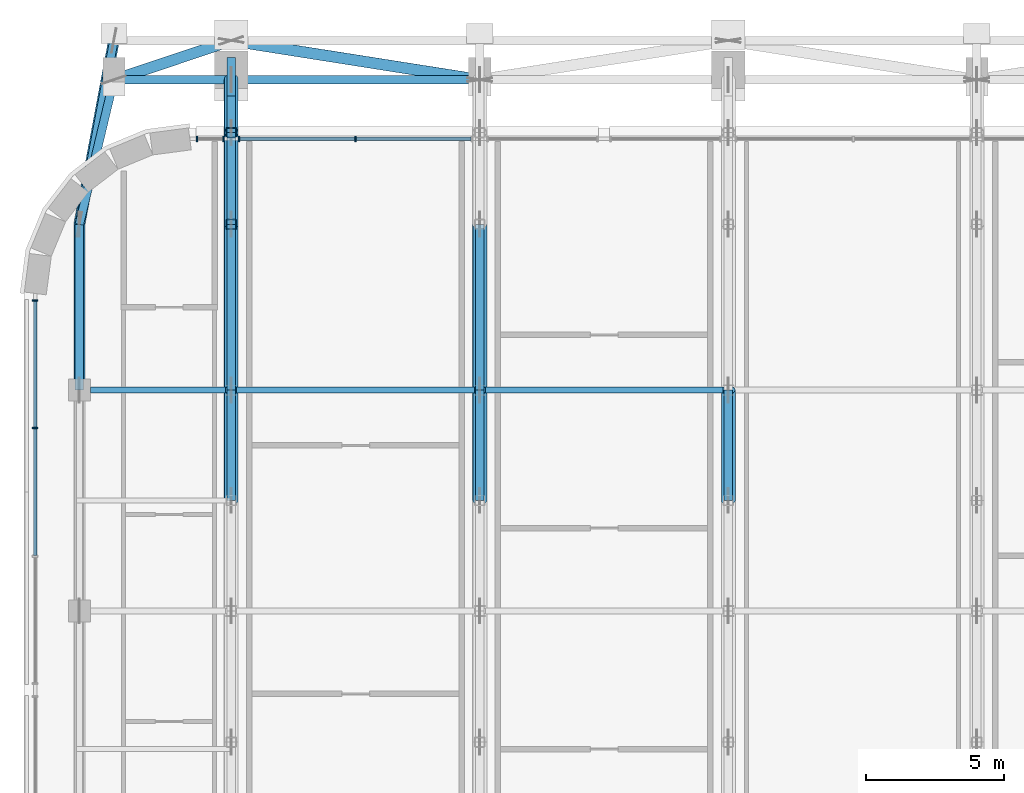
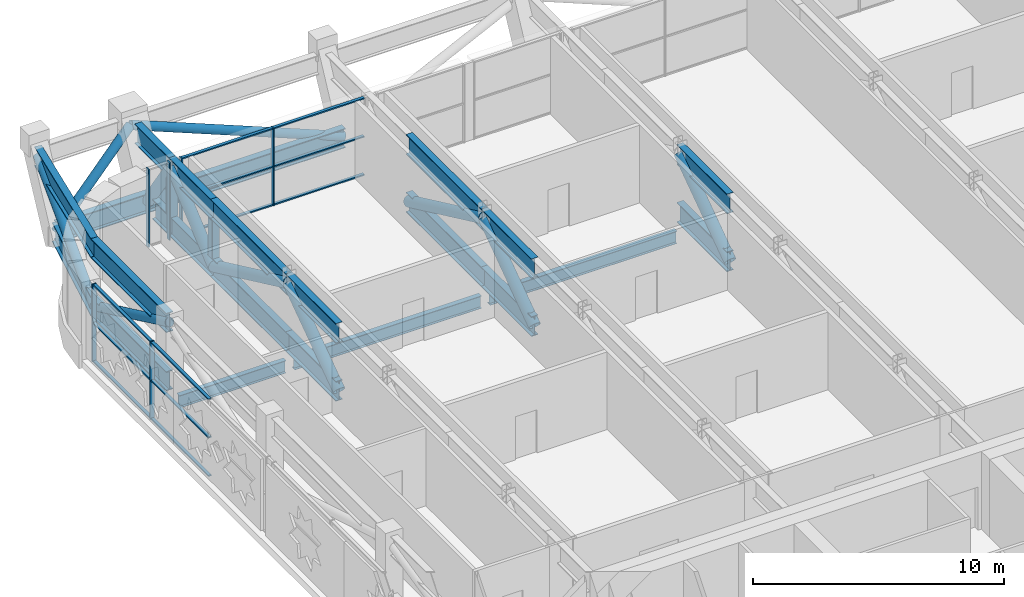
# One storey, part 9 of 28: 51 members, 3 beams, 3 elements without a shape of their own.
"""IFC4 building model written with IfcOpenShell, lengths in metres."""

from ifc_helpers import new_model, si_unit, direction, frame, origin, origin_2d, place, context, subcontext, project, spatial, rectangle, hollow_rectangle, hollow_circle, i_section, extrude, material, material_profile, profile_set, type_object, element, aggregate, save


model = new_model("IFC4")

# Units and contexts
model_context = context("Model", 3, precision=1e-05, world=origin(), true_north=direction((0.0, 1.0)))
body_context = subcontext(model_context, "Body", "Model", "MODEL_VIEW")
ifc_project = project(units=[si_unit("LENGTHUNIT", "METRE"), si_unit("AREAUNIT", "SQUARE_METRE"), si_unit("VOLUMEUNIT", "CUBIC_METRE"), si_unit("PLANEANGLEUNIT", "RADIAN"), si_unit("MASSUNIT", "GRAM", prefix="KILO")], contexts=[model_context])

# Site, building, storey
site_placement = place(None, origin())
site = spatial("IfcSite", under=ifc_project, at=site_placement, CompositionType="ELEMENT")
building_placement = place(site_placement, origin())
building = spatial("IfcBuilding", under=site, at=building_placement, Name="Zellij Exchange Tower", CompositionType="ELEMENT")
storey_placement = place(building_placement, frame((0.0, 0.0, 268.5)))
storey = spatial("IfcBuildingStorey", under=building, at=storey_placement, Name="L63", CompositionType="ELEMENT", Elevation=268.5)

# Curtain wall, members
ifc_material_1 = material(Name="Aluminium frame, clear insulating glass", Category="aluminium")
curtain_wall_type = type_object("IfcCurtainWallType", Name="ENV-CW2 Outrigger-storey glazing", PredefinedType="NOTDEFINED", material=ifc_material_1)
curtain_wall_1_placement = place(storey_placement, origin())
curtain_wall_1 = element("IfcCurtainWall", 1, at=curtain_wall_1_placement, inside=storey, type_object=curtain_wall_type, Name="cw.L63.14d.b", PredefinedType="NOTDEFINED")
ifc_material_2 = material(Name="Aluminium", Category="aluminium")
ifc_material_profile_1 = material_profile(ifc_material_2, rectangle(XDim=0.06005859375, YDim=0.199951171875, at=origin_2d()), Name="AL 60x200")
ifc_profile_set_1 = profile_set([ifc_material_profile_1], Name="Aluminium")
member_type_1 = type_object("IfcMemberType", Name="ENV-CW2M Mullion 60x200", PredefinedType="MULLION", material=ifc_profile_set_1)
member_1_placement = place(storey_placement, frame((-22.5, 31.10009765625, 0.0), z_axis=(0.0, 0.0, 1.0), x_axis=(-1.0, 0.0, 0.0)))
member_1 = element("IfcMember", 2, at=member_1_placement, type_object=member_type_1, Name="CW2 mullion 2", PredefinedType="MULLION", context=body_context, shape_type="SweptSolid", body=[
    extrude(rectangle(XDim=0.06005859375, YDim=0.199951171875, at=origin_2d()), origin(), (0.0, 0.0, 1.0), 3.780029296875),
])
member_2_placement = place(storey_placement, frame((-26.72021484375, 31.10009765625, 0.0), z_axis=(0.0, 0.0, 1.0), x_axis=(-1.0, 0.0, 0.0)))
member_2 = element("IfcMember", 3, at=member_2_placement, type_object=member_type_1, Name="CW2 mullion 3", PredefinedType="MULLION", context=body_context, shape_type="SweptSolid", body=[
    extrude(rectangle(XDim=0.06005859375, YDim=0.199951171875, at=origin_2d()), origin(), (0.0, 0.0, 1.0), 3.780029296875),
])

curtain_wall_2_placement = place(storey_placement, origin())
curtain_wall_2 = element("IfcCurtainWall", 4, at=curtain_wall_2_placement, inside=storey, type_object=curtain_wall_type, Name="cw.L63.14d.c", PredefinedType="NOTDEFINED")
member_3_placement = place(storey_placement, frame((-27.27978515625, 31.10009765625, 0.0), z_axis=(0.0, 0.0, 1.0), x_axis=(-1.0, 0.0, 0.0)))
member_3 = element("IfcMember", 5, at=member_3_placement, type_object=member_type_1, Name="CW2 mullion 1", PredefinedType="MULLION", context=body_context, shape_type="SweptSolid", body=[
    extrude(rectangle(XDim=0.06005859375, YDim=0.199951171875, at=origin_2d()), origin(), (0.0, 0.0, 1.0), 3.780029296875),
])
member_4_placement = place(storey_placement, frame((-28.243896484375, 31.10009765625, 0.0), z_axis=(0.0, 0.0, 1.0), x_axis=(-1.0, 0.0, 0.0)))
member_4 = element("IfcMember", 6, at=member_4_placement, type_object=member_type_1, Name="CW2 mullion 2", PredefinedType="MULLION", context=body_context, shape_type="SweptSolid", body=[
    extrude(rectangle(XDim=0.06005859375, YDim=0.199951171875, at=origin_2d()), origin(), (0.0, 0.0, 1.0), 3.780029296875),
])
aggregate(curtain_wall_2, [member_3, member_4])

curtain_wall_3_placement = place(storey_placement, origin())
curtain_wall_3 = element("IfcCurtainWall", 7, at=curtain_wall_3_placement, inside=storey, type_object=curtain_wall_type, Name="cw.L63.21a", PredefinedType="NOTDEFINED")
member_5_placement = place(storey_placement, frame((-34.10009765625, 25.243896484375, 0.0), z_axis=(0.0, 0.0, 1.0), x_axis=(0.0, -1.0, 0.0)))
member_5 = element("IfcMember", 8, at=member_5_placement, type_object=member_type_1, Name="CW2 mullion 1", PredefinedType="MULLION", context=body_context, shape_type="SweptSolid", body=[
    extrude(rectangle(XDim=0.06005859375, YDim=0.199951171875, at=origin_2d()), origin(), (0.0, 0.0, 1.0), 3.780029296875),
])
member_6_placement = place(storey_placement, frame((-34.10009765625, 20.62890625, 0.0), z_axis=(0.0, 0.0, 1.0), x_axis=(0.0, -1.0, 0.0)))
member_6 = element("IfcMember", 9, at=member_6_placement, type_object=member_type_1, Name="CW2 mullion 2", PredefinedType="MULLION", context=body_context, shape_type="SweptSolid", body=[
    extrude(rectangle(XDim=0.06005859375, YDim=0.199951171875, at=origin_2d()), origin(), (0.0, 0.0, 1.0), 3.780029296875),
])

# Member
ifc_material_profile_2 = material_profile(ifc_material_2, rectangle(XDim=0.139892578125, YDim=0.06005859375, at=origin_2d()), Name="AL 140x60")
ifc_profile_set_2 = profile_set([ifc_material_profile_2], Name="Aluminium")
member_type_2 = type_object("IfcMemberType", Name="ENV-CW2T Transom 140x60", PredefinedType="USERDEFINED", material=ifc_profile_set_2)
member_7_placement = place(storey_placement, frame((-18.309814453125, 31.10009765625, 0.030029296875), z_axis=(-1.0, 0.0, 0.0), x_axis=(0.0, -1.0, 0.0)))
member_7 = element("IfcMember", 10, at=member_7_placement, type_object=member_type_2, Name="CW2 transom 1.1", ObjectType="TRANSOM", PredefinedType="USERDEFINED", context=body_context, shape_type="SweptSolid", body=[
    extrude(rectangle(XDim=0.139892578125, YDim=0.06005859375, at=origin_2d()), origin(), (0.0, 0.0, 1.0), 4.16015625),
])

member_8_placement = place(storey_placement, frame((-18.309814453125, 31.10009765625, 1.889892578125), z_axis=(-1.0, 0.0, 0.0), x_axis=(0.0, -1.0, 0.0)))
member_8 = element("IfcMember", 11, at=member_8_placement, type_object=member_type_2, Name="CW2 transom 1.2", ObjectType="TRANSOM", PredefinedType="USERDEFINED", context=body_context, shape_type="SweptSolid", body=[
    extrude(rectangle(XDim=0.139892578125, YDim=0.06005859375, at=origin_2d()), origin(), (0.0, 0.0, 1.0), 4.16015625),
])

member_9_placement = place(storey_placement, frame((-18.309814453125, 31.10009765625, 3.75), z_axis=(-1.0, 0.0, 0.0), x_axis=(0.0, -1.0, 0.0)))
member_9 = element("IfcMember", 12, at=member_9_placement, type_object=member_type_2, Name="CW2 transom 1.3", ObjectType="TRANSOM", PredefinedType="USERDEFINED", context=body_context, shape_type="SweptSolid", body=[
    extrude(rectangle(XDim=0.139892578125, YDim=0.06005859375, at=origin_2d()), origin(), (0.0, 0.0, 1.0), 4.16015625),
])

member_10_placement = place(storey_placement, frame((-22.530029296875, 31.10009765625, 0.030029296875), z_axis=(-1.0, 0.0, 0.0), x_axis=(0.0, -1.0, 0.0)))
member_10 = element("IfcMember", 13, at=member_10_placement, type_object=member_type_2, Name="CW2 transom 2.1", ObjectType="TRANSOM", PredefinedType="USERDEFINED", context=body_context, shape_type="SweptSolid", body=[
    extrude(rectangle(XDim=0.139892578125, YDim=0.06005859375, at=origin_2d()), origin(), (0.0, 0.0, 1.0), 4.16015625),
])

member_11_placement = place(storey_placement, frame((-22.530029296875, 31.10009765625, 1.889892578125), z_axis=(-1.0, 0.0, 0.0), x_axis=(0.0, -1.0, 0.0)))
member_11 = element("IfcMember", 14, at=member_11_placement, type_object=member_type_2, Name="CW2 transom 2.2", ObjectType="TRANSOM", PredefinedType="USERDEFINED", context=body_context, shape_type="SweptSolid", body=[
    extrude(rectangle(XDim=0.139892578125, YDim=0.06005859375, at=origin_2d()), origin(), (0.0, 0.0, 1.0), 4.16015625),
])

member_12_placement = place(storey_placement, frame((-22.530029296875, 31.10009765625, 3.75), z_axis=(-1.0, 0.0, 0.0), x_axis=(0.0, -1.0, 0.0)))
member_12 = element("IfcMember", 15, at=member_12_placement, type_object=member_type_2, Name="CW2 transom 2.3", ObjectType="TRANSOM", PredefinedType="USERDEFINED", context=body_context, shape_type="SweptSolid", body=[
    extrude(rectangle(XDim=0.139892578125, YDim=0.06005859375, at=origin_2d()), origin(), (0.0, 0.0, 1.0), 4.16015625),
])

aggregate(curtain_wall_1, [member_1, member_2, member_7, member_8, member_9, member_10, member_11, member_12])

member_13_placement = place(storey_placement, frame((-34.10009765625, 25.2138671875, 0.030029296875), z_axis=(0.0, -1.0, 0.0), x_axis=(1.0, 0.0, 0.0)))
member_13 = element("IfcMember", 16, at=member_13_placement, type_object=member_type_2, Name="CW2 transom 1.1", ObjectType="TRANSOM", PredefinedType="USERDEFINED", context=body_context, shape_type="SweptSolid", body=[
    extrude(rectangle(XDim=0.139892578125, YDim=0.06005859375, at=origin_2d()), origin(), (0.0, 0.0, 1.0), 4.554931640625),
])

member_14_placement = place(storey_placement, frame((-34.10009765625, 25.2138671875, 1.889892578125), z_axis=(0.0, -1.0, 0.0), x_axis=(1.0, 0.0, 0.0)))
member_14 = element("IfcMember", 17, at=member_14_placement, type_object=member_type_2, Name="CW2 transom 1.2", ObjectType="TRANSOM", PredefinedType="USERDEFINED", context=body_context, shape_type="SweptSolid", body=[
    extrude(rectangle(XDim=0.139892578125, YDim=0.06005859375, at=origin_2d()), origin(), (0.0, 0.0, 1.0), 4.554931640625),
])

member_15_placement = place(storey_placement, frame((-34.10009765625, 25.2138671875, 3.75), z_axis=(0.0, -1.0, 0.0), x_axis=(1.0, 0.0, 0.0)))
member_15 = element("IfcMember", 18, at=member_15_placement, type_object=member_type_2, Name="CW2 transom 1.3", ObjectType="TRANSOM", PredefinedType="USERDEFINED", context=body_context, shape_type="SweptSolid", body=[
    extrude(rectangle(XDim=0.139892578125, YDim=0.06005859375, at=origin_2d()), origin(), (0.0, 0.0, 1.0), 4.554931640625),
])

member_16_placement = place(storey_placement, frame((-34.10009765625, 20.598876953125, 0.030029296875), z_axis=(0.0, -1.0, 0.0), x_axis=(1.0, 0.0, 0.0)))
member_16 = element("IfcMember", 19, at=member_16_placement, type_object=member_type_2, Name="CW2 transom 2.1", ObjectType="TRANSOM", PredefinedType="USERDEFINED", context=body_context, shape_type="SweptSolid", body=[
    extrude(rectangle(XDim=0.139892578125, YDim=0.06005859375, at=origin_2d()), origin(), (0.0, 0.0, 1.0), 4.5849609375),
])

member_17_placement = place(storey_placement, frame((-34.10009765625, 20.598876953125, 1.889892578125), z_axis=(0.0, -1.0, 0.0), x_axis=(1.0, 0.0, 0.0)))
member_17 = element("IfcMember", 20, at=member_17_placement, type_object=member_type_2, Name="CW2 transom 2.2", ObjectType="TRANSOM", PredefinedType="USERDEFINED", context=body_context, shape_type="SweptSolid", body=[
    extrude(rectangle(XDim=0.139892578125, YDim=0.06005859375, at=origin_2d()), origin(), (0.0, 0.0, 1.0), 4.5849609375),
])

member_18_placement = place(storey_placement, frame((-34.10009765625, 20.598876953125, 3.75), z_axis=(0.0, -1.0, 0.0), x_axis=(1.0, 0.0, 0.0)))
member_18 = element("IfcMember", 21, at=member_18_placement, type_object=member_type_2, Name="CW2 transom 2.3", ObjectType="TRANSOM", PredefinedType="USERDEFINED", context=body_context, shape_type="SweptSolid", body=[
    extrude(rectangle(XDim=0.139892578125, YDim=0.06005859375, at=origin_2d()), origin(), (0.0, 0.0, 1.0), 4.5849609375),
])

aggregate(curtain_wall_3, [member_5, member_6, member_13, member_14, member_15, member_16, member_17, member_18])

# Members
ifc_material_3 = material(Name="Structural steel ASTM A992 Gr 50", Category="steel")
ifc_material_profile_3 = material_profile(ifc_material_3, i_section(OverallWidth=0.307373046875, OverallDepth=0.9423828125, WebThickness=0.022216796875, FlangeThickness=0.039794921875, at=origin_2d()), Name="W36x232")
ifc_profile_set_3 = profile_set([ifc_material_profile_3], Name="Structural steel ASTM A992 Gr 50")
member_type_3 = type_object("IfcMemberType", Name="STR-BELT TRUSS CHORD W36x232", PredefinedType="CHORD", material=ifc_profile_set_3)
for number, where, z_axis, x_axis, name in (
    (22, (-32.5, 22.0, 0.47119140625), (0.0, 1.0, 0.0), (-1.0, 0.0, 0.0), "BT1"),
    (23, (-32.5, 22.0, 3.308837890625), (0.0, 1.0, 0.0), (-1.0, 0.0, 0.0), "BT1"),
):
    element("IfcMember", number, at=place(storey_placement, frame(where, z_axis=z_axis, x_axis=x_axis)), inside=storey, type_object=member_type_3, Name=name, PredefinedType="CHORD", context=body_context, shape_type="SweptSolid", body=[
        extrude(i_section(OverallWidth=0.307373046875, OverallDepth=0.9423828125, WebThickness=0.022216796875, FlangeThickness=0.039794921875, at=origin_2d()), origin(), (0.0, 0.0, 1.0), 6.0),
    ])
member_19_placement = place(storey_placement, frame((-32.5, 28.0, 0.47119140625), z_axis=(0.232223446977, 0.972662464925, 0.0), x_axis=(-0.972662464925, 0.232223446977, 0.0)))
element("IfcMember", 24, at=member_19_placement, inside=storey, type_object=member_type_3, Name="BT1", PredefinedType="CHORD", context=body_context, shape_type="SweptSolid", body=[
    extrude(i_section(OverallWidth=0.307373046875, OverallDepth=0.9423828125, WebThickness=0.022216796875, FlangeThickness=0.039794921875, at=origin_2d()), origin(), (0.0, 0.0, 1.0), 5.3828125),
])
member_20_placement = place(storey_placement, frame((-32.5, 28.0, 3.308837890625), z_axis=(0.184619446254, 0.982810083416, 0.0), x_axis=(-0.982810083416, 0.184619446254, 0.0)))
element("IfcMember", 25, at=member_20_placement, inside=storey, type_object=member_type_3, Name="BT1", PredefinedType="CHORD", context=body_context, shape_type="SweptSolid", body=[
    extrude(i_section(OverallWidth=0.307373046875, OverallDepth=0.9423828125, WebThickness=0.022216796875, FlangeThickness=0.039794921875, at=origin_2d()), origin(), (0.0, 0.0, 1.0), 6.770751953125),
])
member_21_placement = place(storey_placement, frame((-31.25, 33.235595703125, 0.47119140625), z_axis=(1.0, 0.0, 0.0), x_axis=(0.0, 1.0, 0.0)))
element("IfcMember", 26, at=member_21_placement, inside=storey, type_object=member_type_3, Name="BT1", PredefinedType="CHORD", context=body_context, shape_type="SweptSolid", body=[
    extrude(i_section(OverallWidth=0.307373046875, OverallDepth=0.9423828125, WebThickness=0.022216796875, FlangeThickness=0.039794921875, at=origin_2d()), origin(), (0.0, 0.0, 1.0), 4.25),
])
member_22_placement = place(storey_placement, frame((-27.0, 33.235595703125, 0.47119140625), z_axis=(1.0, 0.0, 0.0), x_axis=(0.0, 1.0, 0.0)))
element("IfcMember", 27, at=member_22_placement, inside=storey, type_object=member_type_3, Name="BT1", PredefinedType="CHORD", context=body_context, shape_type="SweptSolid", body=[
    extrude(i_section(OverallWidth=0.307373046875, OverallDepth=0.9423828125, WebThickness=0.022216796875, FlangeThickness=0.039794921875, at=origin_2d()), origin(), (0.0, 0.0, 1.0), 9.0),
])
ifc_material_4 = material(Name="Structural steel ASTM A500 Gr C", Category="steel")
ifc_material_profile_4 = material_profile(ifc_material_4, hollow_circle(Radius=0.203125, WallThickness=0.01171875, at=origin_2d()), Name="STR-BELT TRUSS DIAGONAL HSS16.000x0.500")
ifc_profile_set_4 = profile_set([ifc_material_profile_4], Name="Structural steel ASTM A500 Gr C")
member_type_4 = type_object("IfcMemberType", Name="STR-BELT TRUSS DIAGONAL HSS16.000x0.500", PredefinedType="BRACE", material=ifc_profile_set_4)
member_23_placement = place(storey_placement, frame((-32.5, 22.0, 3.308837890625), z_axis=(0.0, 0.903997572039, -0.427537588696), x_axis=(-1.0, 0.0, 0.0)))
element("IfcMember", 28, at=member_23_placement, inside=storey, type_object=member_type_4, Name="BT2", PredefinedType="BRACE", context=body_context, shape_type="SweptSolid", body=[
    extrude(hollow_circle(Radius=0.203125, WallThickness=0.01171875, at=origin_2d()), origin(), (0.0, 0.0, 1.0), 6.63720703125),
])
member_24_placement = place(storey_placement, frame((-32.5, 28.0, 0.47119140625), z_axis=(0.170270015014, 0.906421783052, 0.3865328876), x_axis=(-0.982810083416, 0.184619446254, 0.0)))
element("IfcMember", 29, at=member_24_placement, inside=storey, type_object=member_type_4, Name="BT2", PredefinedType="BRACE", context=body_context, shape_type="SweptSolid", body=[
    extrude(hollow_circle(Radius=0.203125, WallThickness=0.01171875, at=origin_2d()), origin(), (0.0, 0.0, 1.0), 7.34130859375),
])
member_25_placement = place(storey_placement, frame((-31.25, 33.235595703125, 0.47119140625), z_axis=(0.801352774401, 0.267501204736, 0.535048443064), x_axis=(-0.316636405243, 0.948546987173, 0.0)))
element("IfcMember", 30, at=member_25_placement, inside=storey, type_object=member_type_4, Name="BT2", PredefinedType="BRACE", context=body_context, shape_type="SweptSolid", body=[
    extrude(hollow_circle(Radius=0.203125, WallThickness=0.01171875, at=origin_2d()), origin(), (0.0, 0.0, 1.0), 5.303466796875),
])
member_26_placement = place(storey_placement, frame((-27.0, 34.654296875, 3.308837890625), z_axis=(0.943119840636, -0.148667247014, -0.297360077792), x_axis=(0.155710759714, 0.987802692499, 0.0)))
element("IfcMember", 31, at=member_26_placement, inside=storey, type_object=member_type_4, Name="BT2", PredefinedType="BRACE", context=body_context, shape_type="SweptSolid", body=[
    extrude(hollow_circle(Radius=0.203125, WallThickness=0.01171875, at=origin_2d()), origin(), (0.0, 0.0, 1.0), 9.542724609375),
])

# Beams
ifc_material_profile_5 = material_profile(ifc_material_3, i_section(OverallWidth=0.228271484375, OverallDepth=0.607177734375, WebThickness=0.01123046875, FlangeThickness=0.017333984375, at=origin_2d()), Name="W24x76")
ifc_profile_set_5 = profile_set([ifc_material_profile_5], Name="Structural steel ASTM A992 Gr 50")
beam_type = type_object("IfcBeamType", Name="STR-GIRDER W24x76", PredefinedType="BEAM", material=ifc_profile_set_5)
beam_placement = place(storey_placement, frame((-32.10009765625, 22.0, -0.653564453125), z_axis=(1.0, 0.0, 0.0), x_axis=(0.0, 1.0, 0.0)))
element("IfcBeam", 32, at=beam_placement, inside=storey, type_object=beam_type, Name="G2", PredefinedType="BEAM", context=body_context, shape_type="SweptSolid", body=[
    extrude(i_section(OverallWidth=0.228271484375, OverallDepth=0.607177734375, WebThickness=0.01123046875, FlangeThickness=0.017333984375, at=origin_2d()), origin(), (0.0, 0.0, 1.0), 4.900634765625),
])
for number, where, z_axis, x_axis, name in (
    (33, (-26.800537109375, 22.0, -0.653564453125), (1.0, 0.0, 0.0), (0.0, 1.0, 0.0), "G2"),
    (34, (-17.800537109375, 22.0, -0.653564453125), (1.0, 0.0, 0.0), (0.0, 1.0, 0.0), "G2"),
):
    element("IfcBeam", number, at=place(storey_placement, frame(where, z_axis=z_axis, x_axis=x_axis)), inside=storey, type_object=beam_type, Name=name, PredefinedType="BEAM", context=body_context, shape_type="SweptSolid", body=[
        extrude(i_section(OverallWidth=0.228271484375, OverallDepth=0.607177734375, WebThickness=0.01123046875, FlangeThickness=0.017333984375, at=origin_2d()), origin(), (0.0, 0.0, 1.0), 8.60107421875),
    ])

# Members
ifc_material_5 = material(Name="Structural steel ASTM A913 Gr 65", Category="steel")
ifc_material_profile_6 = material_profile(ifc_material_5, i_section(OverallWidth=0.2998046875, OverallDepth=0.965087890625, WebThickness=0.01904296875, FlangeThickness=0.0361328125, at=origin_2d()), Name="W40x249")
ifc_profile_set_6 = profile_set([ifc_material_profile_6], Name="Structural steel ASTM A913 Gr 65")
member_type_5 = type_object("IfcMemberType", Name="STR-OUTRIGGER TRUSS CHORD W40x249", PredefinedType="CHORD", material=ifc_profile_set_6)
for number, where, z_axis, x_axis, name in (
    (35, (-27.0, 18.0, 3.29736328125), (0.0, 1.0, 0.0), (-1.0, 0.0, 0.0), "OT1"),
    (36, (-27.0, 18.0, 0.482666015625), (0.0, 1.0, 0.0), (-1.0, 0.0, 0.0), "OT1"),
):
    element("IfcMember", number, at=place(storey_placement, frame(where, z_axis=z_axis, x_axis=x_axis)), inside=storey, type_object=member_type_5, Name=name, PredefinedType="CHORD", context=body_context, shape_type="SweptSolid", body=[
        extrude(i_section(OverallWidth=0.2998046875, OverallDepth=0.965087890625, WebThickness=0.01904296875, FlangeThickness=0.0361328125, at=origin_2d()), origin(), (0.0, 0.0, 1.0), 4.0),
    ])
for number, where, z_axis, x_axis, name in (
    (37, (-27.0, 22.0, 3.29736328125), (0.0, 1.0, 0.0), (-1.0, 0.0, 0.0), "OT1"),
    (38, (-27.0, 22.0, 0.482666015625), (0.0, 1.0, 0.0), (-1.0, 0.0, 0.0), "OT1"),
):
    element("IfcMember", number, at=place(storey_placement, frame(where, z_axis=z_axis, x_axis=x_axis)), inside=storey, type_object=member_type_5, Name=name, PredefinedType="CHORD", context=body_context, shape_type="SweptSolid", body=[
        extrude(i_section(OverallWidth=0.2998046875, OverallDepth=0.965087890625, WebThickness=0.01904296875, FlangeThickness=0.0361328125, at=origin_2d()), origin(), (0.0, 0.0, 1.0), 6.0),
    ])
for number, where, z_axis, x_axis, name in (
    (39, (-27.0, 28.0, 3.29736328125), (0.0, 1.0, 0.0), (-1.0, 0.0, 0.0), "OT1"),
    (40, (-27.0, 28.0, 0.482666015625), (0.0, 1.0, 0.0), (-1.0, 0.0, 0.0), "OT1"),
):
    element("IfcMember", number, at=place(storey_placement, frame(where, z_axis=z_axis, x_axis=x_axis)), inside=storey, type_object=member_type_5, Name=name, PredefinedType="CHORD", context=body_context, shape_type="SweptSolid", body=[
        extrude(i_section(OverallWidth=0.2998046875, OverallDepth=0.965087890625, WebThickness=0.01904296875, FlangeThickness=0.0361328125, at=origin_2d()), origin(), (0.0, 0.0, 1.0), 3.323974609375),
    ])
member_27_placement = place(storey_placement, frame((-27.0, 31.323974609375, 3.29736328125), z_axis=(0.0, 1.0, 0.0), x_axis=(-1.0, 0.0, 0.0)))
element("IfcMember", 41, at=member_27_placement, inside=storey, type_object=member_type_5, Name="OT1", PredefinedType="CHORD", context=body_context, shape_type="SweptSolid", body=[
    extrude(i_section(OverallWidth=0.2998046875, OverallDepth=0.965087890625, WebThickness=0.01904296875, FlangeThickness=0.0361328125, at=origin_2d()), origin(), (0.0, 0.0, 1.0), 2.724609375),
])
member_28_placement = place(storey_placement, frame((-27.0, 31.323974609375, 0.482666015625), z_axis=(0.0, 1.0, 0.0), x_axis=(-1.0, 0.0, 0.0)))
element("IfcMember", 42, at=member_28_placement, inside=storey, type_object=member_type_5, Name="OT1", PredefinedType="CHORD", context=body_context, shape_type="SweptSolid", body=[
    extrude(i_section(OverallWidth=0.2998046875, OverallDepth=0.965087890625, WebThickness=0.01904296875, FlangeThickness=0.0361328125, at=origin_2d()), origin(), (0.0, 0.0, 1.0), 1.3173828125),
])
for number, where, z_axis, x_axis, name in (
    (43, (-18.0, 18.0, 3.29736328125), (0.0, 1.0, 0.0), (-1.0, 0.0, 0.0), "OT1"),
    (44, (-18.0, 18.0, 0.482666015625), (0.0, 1.0, 0.0), (-1.0, 0.0, 0.0), "OT1"),
):
    element("IfcMember", number, at=place(storey_placement, frame(where, z_axis=z_axis, x_axis=x_axis)), inside=storey, type_object=member_type_5, Name=name, PredefinedType="CHORD", context=body_context, shape_type="SweptSolid", body=[
        extrude(i_section(OverallWidth=0.2998046875, OverallDepth=0.965087890625, WebThickness=0.01904296875, FlangeThickness=0.0361328125, at=origin_2d()), origin(), (0.0, 0.0, 1.0), 4.0),
    ])
for number, where, z_axis, x_axis, name in (
    (45, (-18.0, 22.0, 3.29736328125), (0.0, 1.0, 0.0), (-1.0, 0.0, 0.0), "OT1"),
    (46, (-18.0, 22.0, 0.482666015625), (0.0, 1.0, 0.0), (-1.0, 0.0, 0.0), "OT1"),
):
    element("IfcMember", number, at=place(storey_placement, frame(where, z_axis=z_axis, x_axis=x_axis)), inside=storey, type_object=member_type_5, Name=name, PredefinedType="CHORD", context=body_context, shape_type="SweptSolid", body=[
        extrude(i_section(OverallWidth=0.2998046875, OverallDepth=0.965087890625, WebThickness=0.01904296875, FlangeThickness=0.0361328125, at=origin_2d()), origin(), (0.0, 0.0, 1.0), 6.0),
    ])
for number, where, z_axis, x_axis, name in (
    (47, (-9.0, 18.0, 3.29736328125), (0.0, 1.0, 0.0), (-1.0, 0.0, 0.0), "OT1"),
    (48, (-9.0, 18.0, 0.482666015625), (0.0, 1.0, 0.0), (-1.0, 0.0, 0.0), "OT1"),
):
    element("IfcMember", number, at=place(storey_placement, frame(where, z_axis=z_axis, x_axis=x_axis)), inside=storey, type_object=member_type_5, Name=name, PredefinedType="CHORD", context=body_context, shape_type="SweptSolid", body=[
        extrude(i_section(OverallWidth=0.2998046875, OverallDepth=0.965087890625, WebThickness=0.01904296875, FlangeThickness=0.0361328125, at=origin_2d()), origin(), (0.0, 0.0, 1.0), 4.0),
    ])
ifc_material_profile_7 = material_profile(ifc_material_4, hollow_circle(Radius=0.25390625, WallThickness=0.01171875, at=origin_2d()), Name="STR-OUTRIGGER TRUSS DIAGONAL HSS20.000x0.500")
ifc_profile_set_7 = profile_set([ifc_material_profile_7], Name="Structural steel ASTM A500 Gr C")
member_type_6 = type_object("IfcMemberType", Name="STR-OUTRIGGER TRUSS DIAGONAL HSS20.000x0.500", PredefinedType="BRACE", material=ifc_profile_set_7)
member_29_placement = place(storey_placement, frame((-27.0, 18.0, 0.482666015625), z_axis=(0.0, 0.8178177303, 0.575477332314), x_axis=(-1.0, 0.0, 0.0)))
element("IfcMember", 49, at=member_29_placement, inside=storey, type_object=member_type_6, Name="OT2", PredefinedType="BRACE", context=body_context, shape_type="SweptSolid", body=[
    extrude(hollow_circle(Radius=0.25390625, WallThickness=0.01171875, at=origin_2d()), origin(), (0.0, 0.0, 1.0), 4.89111328125),
])
member_30_placement = place(storey_placement, frame((-27.0, 22.0, 3.29736328125), z_axis=(0.0, 0.905331480989, -0.424705674004), x_axis=(-1.0, 0.0, 0.0)))
element("IfcMember", 50, at=member_30_placement, inside=storey, type_object=member_type_6, Name="OT2", PredefinedType="BRACE", context=body_context, shape_type="SweptSolid", body=[
    extrude(hollow_circle(Radius=0.25390625, WallThickness=0.01171875, at=origin_2d()), origin(), (0.0, 0.0, 1.0), 6.62744140625),
])
member_31_placement = place(storey_placement, frame((-27.0, 28.0, 0.482666015625), z_axis=(0.0, 0.763148109098, 0.646223617318), x_axis=(-1.0, 0.0, 0.0)))
element("IfcMember", 51, at=member_31_placement, inside=storey, type_object=member_type_6, Name="OT2", PredefinedType="BRACE", context=body_context, shape_type="SweptSolid", body=[
    extrude(hollow_circle(Radius=0.25390625, WallThickness=0.01171875, at=origin_2d()), origin(), (0.0, 0.0, 1.0), 4.355712890625),
])
member_32_placement = place(storey_placement, frame((-27.0, 31.323974609375, 3.29736328125), z_axis=(0.0, 0.562960837411, -0.826483572457), x_axis=(-1.0, 0.0, 0.0)))
element("IfcMember", 52, at=member_32_placement, inside=storey, type_object=member_type_6, Name="OT2", PredefinedType="BRACE", context=body_context, shape_type="SweptSolid", body=[
    extrude(hollow_circle(Radius=0.25390625, WallThickness=0.01171875, at=origin_2d()), origin(), (0.0, 0.0, 1.0), 3.405517578125),
])
member_33_placement = place(storey_placement, frame((-18.0, 18.0, 0.482666015625), z_axis=(0.0, 0.8178177303, 0.575477332314), x_axis=(-1.0, 0.0, 0.0)))
element("IfcMember", 53, at=member_33_placement, inside=storey, type_object=member_type_6, Name="OT2", PredefinedType="BRACE", context=body_context, shape_type="SweptSolid", body=[
    extrude(hollow_circle(Radius=0.25390625, WallThickness=0.01171875, at=origin_2d()), origin(), (0.0, 0.0, 1.0), 4.89111328125),
])
member_34_placement = place(storey_placement, frame((-18.0, 22.0, 3.29736328125), z_axis=(0.0, 0.905331480989, -0.424705674004), x_axis=(-1.0, 0.0, 0.0)))
element("IfcMember", 54, at=member_34_placement, inside=storey, type_object=member_type_6, Name="OT2", PredefinedType="BRACE", context=body_context, shape_type="SweptSolid", body=[
    extrude(hollow_circle(Radius=0.25390625, WallThickness=0.01171875, at=origin_2d()), origin(), (0.0, 0.0, 1.0), 6.62744140625),
])
member_35_placement = place(storey_placement, frame((-9.0, 18.0, 0.482666015625), z_axis=(0.0, 0.8178177303, 0.575477332314), x_axis=(-1.0, 0.0, 0.0)))
element("IfcMember", 55, at=member_35_placement, inside=storey, type_object=member_type_6, Name="OT2", PredefinedType="BRACE", context=body_context, shape_type="SweptSolid", body=[
    extrude(hollow_circle(Radius=0.25390625, WallThickness=0.01171875, at=origin_2d()), origin(), (0.0, 0.0, 1.0), 4.89111328125),
])
ifc_material_profile_8 = material_profile(ifc_material_4, hollow_rectangle(XDim=0.355712890625, YDim=0.355712890625, WallThickness=0.01171875, InnerFilletRadius=0.01171875, OuterFilletRadius=0.023681640625, at=origin_2d()), Name="STR-OUTRIGGER TRUSS POST HSS14x14x1/2")
ifc_profile_set_8 = profile_set([ifc_material_profile_8], Name="Structural steel ASTM A500 Gr C")
member_type_7 = type_object("IfcMemberType", Name="STR-OUTRIGGER TRUSS POST HSS14x14x1/2", PredefinedType="POST", material=ifc_profile_set_8)
for number, where, z_axis, x_axis, name in (
    (56, (-27.0, 28.0, 0.965087890625), (0.0, 0.0, 1.0), (1.0, 0.0, 0.0), "OT3"),
    (57, (-27.0, 31.323974609375, 0.965087890625), (0.0, 0.0, 1.0), (1.0, 0.0, 0.0), "OT3"),
):
    element("IfcMember", number, at=place(storey_placement, frame(where, z_axis=z_axis, x_axis=x_axis)), inside=storey, type_object=member_type_7, Name=name, PredefinedType="POST", context=body_context, shape_type="SweptSolid", body=[
        extrude(hollow_rectangle(XDim=0.355712890625, YDim=0.355712890625, WallThickness=0.01171875, InnerFilletRadius=0.01171875, OuterFilletRadius=0.023681640625, at=origin_2d()), origin(), (0.0, 0.0, 1.0), 1.849609375),
    ])

save(model, "model.ifc")
